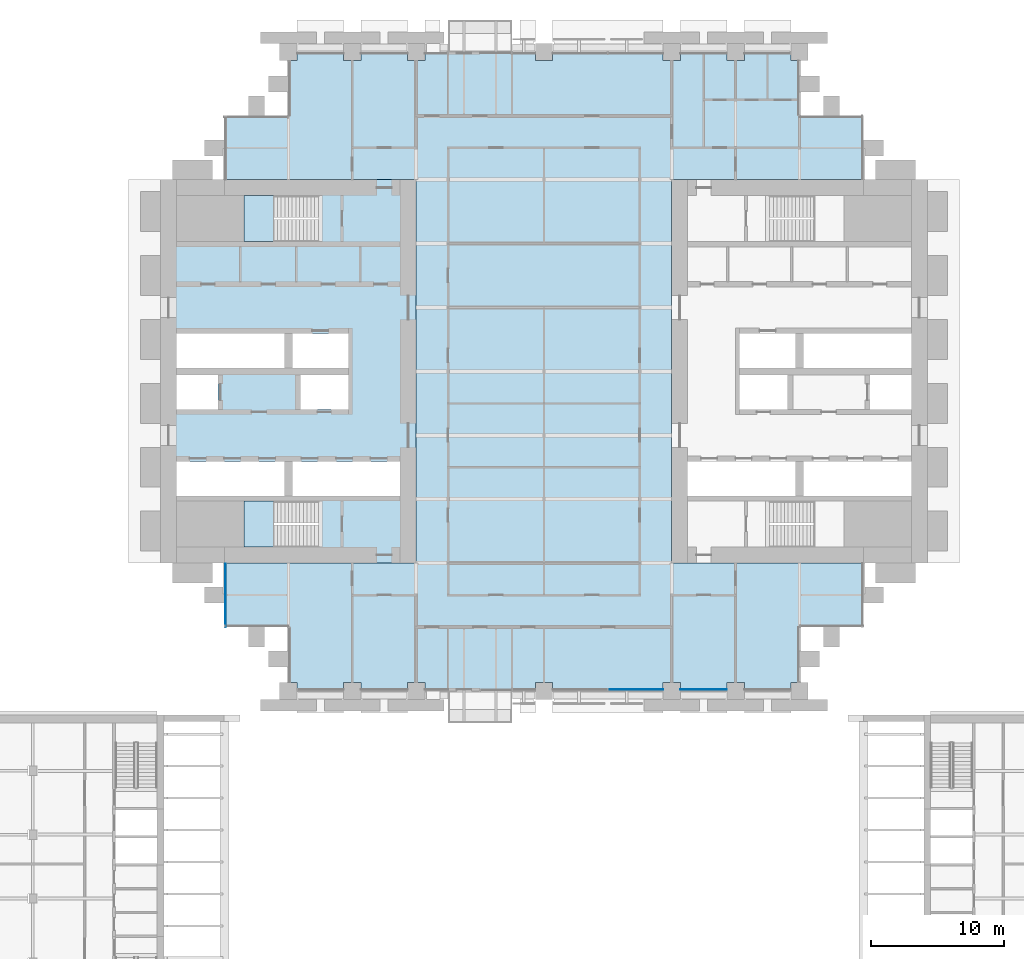
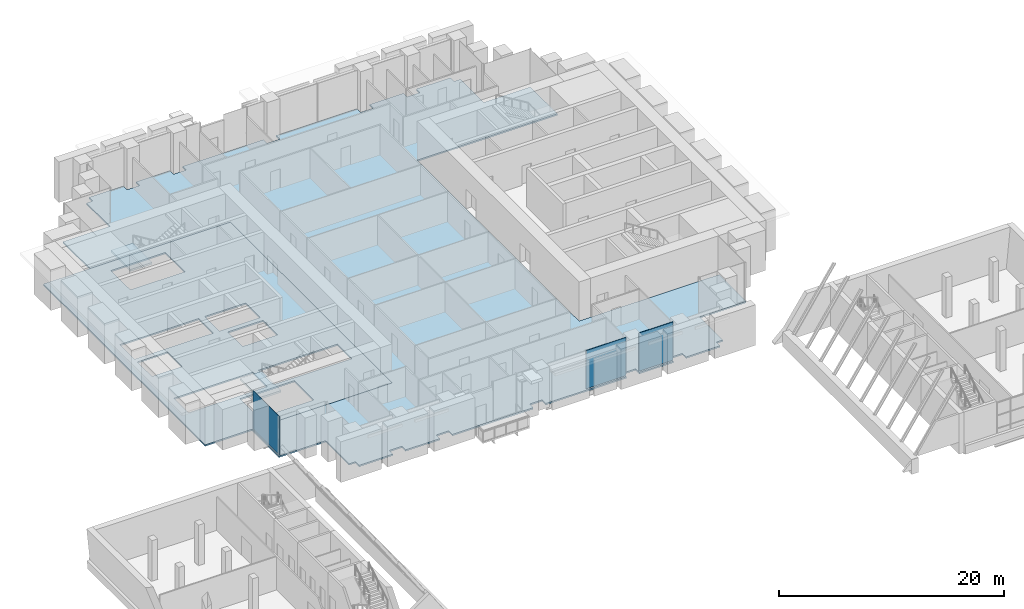
# One storey, part 19 of 32: 4 slabs, 3 plates, 4 elements without a shape of their own.
"""IFC4 building model written with IfcOpenShell, lengths in metres."""

from ifc_helpers import new_model, si_unit, direction, frame, origin, origin_2d, place, context, subcontext, project, spatial, polyline, rectangle, outline, extrude, material, layer, layer_set, type_object, element, aggregate, save


model = new_model("IFC4")

# Units and contexts
model_context = context("Model", 3, precision=1e-05, world=origin(), true_north=direction((0.0, 1.0)))
body_context = subcontext(model_context, "Body", "Model", "MODEL_VIEW")
ifc_project = project(units=[si_unit("LENGTHUNIT", "METRE"), si_unit("AREAUNIT", "SQUARE_METRE"), si_unit("VOLUMEUNIT", "CUBIC_METRE"), si_unit("PLANEANGLEUNIT", "RADIAN"), si_unit("MASSUNIT", "GRAM", prefix="KILO")], contexts=[model_context])

# Site, building, storey
site_placement = place(None, origin())
site = spatial("IfcSite", under=ifc_project, at=site_placement, CompositionType="ELEMENT")
building_placement = place(site_placement, origin())
building = spatial("IfcBuilding", under=site, at=building_placement, Name="Baori Bourse Tower", CompositionType="ELEMENT")
storey_placement = place(building_placement, frame((0.0, 0.0, 21.39990234375)))
storey = spatial("IfcBuildingStorey", under=building, at=storey_placement, Name="L03", CompositionType="ELEMENT", Elevation=21.39990234375)

# Curtain wall, plates
ifc_material_1 = material(Name="Pale anodised aluminium", Category="aluminium")
curtain_wall_type_1 = type_object("IfcCurtainWallType", Name="CW1 Curtain wall", PredefinedType="NOTDEFINED", material=ifc_material_1)
curtain_wall_1_placement = place(storey_placement, origin())
curtain_wall_1 = element("IfcCurtainWall", 1, at=curtain_wall_1_placement, inside=storey, type_object=curtain_wall_type_1, Name="Curtain wall CW1 L03 15", PredefinedType="NOTDEFINED")
ifc_material_2 = material(Name="Clear glass", Category="glass")
ifc_layer_1 = layer(ifc_material_2, 0.033935546875)
ifc_layer_set_1 = layer_set([ifc_layer_1], Name="CW1 Curtain wall panel")
plate_type_1 = type_object("IfcPlateType", Name="CW1 Curtain wall panel", PredefinedType="CURTAIN_PANEL", material=ifc_layer_set_1)
plate_1_placement = place(storey_placement, frame((35.68994140625, 0.10009765625, 0.080078125), z_axis=(0.0, 0.0, 1.0), x_axis=(1.0, 0.0, 0.0)))
plate_1 = element("IfcPlate", 2, at=plate_1_placement, type_object=plate_type_1, Name="Curtain wall CW1 panel", PredefinedType="CURTAIN_PANEL", context=body_context, shape_type="SweptSolid", body=[
    extrude(rectangle(XDim=4.1201171875, YDim=0.033935546875, at=origin_2d()), origin(), (0.0, 0.0, 1.0), 4.159912109375),
])
plate_2_placement = place(storey_placement, frame((40.800048828125, 0.10009765625, 0.080078125), z_axis=(0.0, 0.0, 1.0), x_axis=(1.0, 0.0, 0.0)))
plate_2 = element("IfcPlate", 3, at=plate_2_placement, type_object=plate_type_1, Name="Curtain wall CW1 panel", PredefinedType="CURTAIN_PANEL", context=body_context, shape_type="SweptSolid", body=[
    extrude(rectangle(XDim=3.5, YDim=0.033935546875, at=origin_2d()), origin(), (0.0, 0.0, 1.0), 4.159912109375),
])
aggregate(curtain_wall_1, [plate_1, plate_2])

# Curtain wall, plate
ifc_material_3 = material(Name="Pale anodised aluminium", Category="aluminium")
curtain_wall_type_2 = type_object("IfcCurtainWallType", Name="CW2 Curtain wall", PredefinedType="NOTDEFINED", material=ifc_material_3)
curtain_wall_2_placement = place(storey_placement, origin())
curtain_wall_2 = element("IfcCurtainWall", 4, at=curtain_wall_2_placement, inside=storey, type_object=curtain_wall_type_2, Name="Curtain wall CW2 L03 10", PredefinedType="NOTDEFINED")
ifc_material_4 = material(Name="Clear glass", Category="glass")
ifc_layer_2 = layer(ifc_material_4, 0.030029296875)
ifc_layer_set_2 = layer_set([ifc_layer_2], Name="CW2 Curtain wall panel")
plate_type_2 = type_object("IfcPlateType", Name="CW2 Curtain wall panel", PredefinedType="CURTAIN_PANEL", material=ifc_layer_set_2)
plate_3_placement = place(storey_placement, frame((4.889892578125, 7.172607421875, 0.070068359375), z_axis=(0.0, 0.0, 1.0), x_axis=(0.0, -1.0, 0.0)))
plate_3 = element("IfcPlate", 5, at=plate_3_placement, type_object=plate_type_2, Name="Curtain wall CW2 panel", PredefinedType="CURTAIN_PANEL", context=body_context, shape_type="SweptSolid", body=[
    extrude(rectangle(XDim=4.7451171875, YDim=0.030029296875, at=origin_2d()), origin(), (0.0, 0.0, 1.0), 4.169921875),
])
aggregate(curtain_wall_2, [plate_3])

# Slab
ifc_material_5 = material(Name="Concrete f'c 50 MPa", Category="concrete")
ifc_layer_3 = layer(ifc_material_5, 0.159912109375)
ifc_layer_set_3 = layer_set([ifc_layer_3], Name="Core slab 160")
slab_type_1 = type_object("IfcSlabType", Name="Core slab 160", PredefinedType="FLOOR", material=ifc_layer_set_3)
slab_1_placement = place(storey_placement, frame((0.0, 0.0, -0.159912109375)))
element("IfcSlab", 6, at=slab_1_placement, inside=storey, type_object=slab_type_1, Name="Core floor slab W01", PredefinedType="FLOOR", context=body_context, shape_type="SweptSolid", body=[
    extrude(outline(polyline([(19.199951171875, 9.60009765625), (19.199951171875, 38.39990234375), (0.0, 38.39990234375), (0.0, 9.60009765625), (19.199951171875, 9.60009765625)]), holes=[polyline([(9.89990234375, 14.64990234375), (9.89990234375, 17.25), (18.0, 17.25), (18.0, 14.64990234375), (9.89990234375, 14.64990234375)]), polyline([(10.5, 21.14990234375), (10.5, 23.75), (14.10009765625, 23.75), (14.10009765625, 21.14990234375), (10.5, 21.14990234375)]), polyline([(14.10009765625, 24.25), (9.89990234375, 24.25), (9.89990234375, 26.85009765625), (14.10009765625, 26.85009765625), (14.10009765625, 24.25)]), polyline([(6.25, 14.25), (11.84912109375, 14.25), (11.84912109375, 10.800048828125), (6.25, 10.800048828125), (6.25, 14.25)]), polyline([(11.84912109375, 37.199951171875), (11.84912109375, 33.75), (6.25, 33.75), (6.25, 37.199951171875), (11.84912109375, 37.199951171875)]), polyline([(1.199951171875, 26.85009765625), (9.300048828125, 26.85009765625), (9.300048828125, 24.25), (1.199951171875, 24.25), (1.199951171875, 26.85009765625)]), polyline([(9.300048828125, 14.64990234375), (1.199951171875, 14.64990234375), (1.199951171875, 17.25), (9.300048828125, 17.25), (9.300048828125, 14.64990234375)]), polyline([(4.300048828125, 23.75), (4.300048828125, 21.14990234375), (1.199951171875, 21.14990234375), (1.199951171875, 23.75), (4.300048828125, 23.75)])]), origin(), (0.0, 0.0, 1.0), 0.159912109375),
])

# Stair, slab
ifc_material_6 = material(Name="Concrete f'c 50 MPa", Category="concrete")
stair_type = type_object("IfcStairType", Name="Core stair", PredefinedType="HALF_TURN_STAIR", material=ifc_material_6)
stair_1_placement = place(storey_placement, origin())
stair_1 = element("IfcStair", 7, at=stair_1_placement, inside=storey, type_object=stair_type, Name="L03 Stair WA", PredefinedType="HALF_TURN_STAIR")
ifc_material_7 = material(Name="Concrete f'c 50 MPa", Category="concrete")
slab_type_2 = type_object("IfcSlabType", Name="Core stair landing", PredefinedType="LANDING", material=ifc_material_7)
slab_2_placement = place(storey_placement, frame((0.0, 0.0, 2.0)))
slab_2 = element("IfcSlab", 8, at=slab_2_placement, type_object=slab_type_2, Name="ST1 landing 1", PredefinedType="LANDING", context=body_context, shape_type="SweptSolid", body=[
    extrude(outline(polyline([(8.489990234375, 14.25), (6.25, 14.25), (6.25, 10.800048828125), (8.489990234375, 10.800048828125), (8.489990234375, 14.25)])), origin(), (0.0, 0.0, 1.0), 0.2001953125),
])
aggregate(stair_1, [slab_2])

stair_2_placement = place(storey_placement, origin())
stair_2 = element("IfcStair", 9, at=stair_2_placement, inside=storey, type_object=stair_type, Name="L03 Stair WB", PredefinedType="HALF_TURN_STAIR")
slab_3_placement = place(storey_placement, frame((0.0, 0.0, 2.0)))
slab_3 = element("IfcSlab", 10, at=slab_3_placement, type_object=slab_type_2, Name="ST2 landing 1", PredefinedType="LANDING", context=body_context, shape_type="SweptSolid", body=[
    extrude(outline(polyline([(8.489990234375, 37.199951171875), (6.25, 37.199951171875), (6.25, 33.75), (8.489990234375, 33.75), (8.489990234375, 37.199951171875)])), origin(), (0.0, 0.0, 1.0), 0.2001953125),
])
aggregate(stair_2, [slab_3])

# Slab
ifc_material_8 = material(Name="Concrete f'c 40 MPa", Category="concrete")
ifc_layer_4 = layer(ifc_material_8, 0.159912109375)
ifc_layer_set_4 = layer_set([ifc_layer_4], Name="Floor slab 160")
slab_type_3 = type_object("IfcSlabType", Name="Floor slab 160", PredefinedType="FLOOR", material=ifc_layer_set_4)
slab_4_placement = place(storey_placement, frame((0.0, 0.0, -0.159912109375)))
element("IfcSlab", 11, at=slab_4_placement, inside=storey, type_object=slab_type_3, Name="Floor slab L03", PredefinedType="FLOOR", context=body_context, shape_type="SweptSolid", body=[
    extrude(outline(polyline([(9.60009765625, 4.800048828125), (4.800048828125, 4.800048828125), (4.800048828125, 9.60009765625), (19.199951171875, 9.60009765625), (19.199951171875, 38.39990234375), (4.800048828125, 38.39990234375), (4.800048828125, 43.199951171875), (9.60009765625, 43.199951171875), (9.60009765625, 47.35009765625), (10.25, 47.35009765625), (10.25, 48.0), (13.75, 48.0), (13.75, 47.35009765625), (15.050048828125, 47.35009765625), (15.050048828125, 48.0), (18.550048828125, 48.0), (18.550048828125, 47.35009765625), (19.85009765625, 47.35009765625), (19.85009765625, 48.0), (28.14990234375, 48.0), (28.14990234375, 47.35009765625), (29.449951171875, 47.35009765625), (29.449951171875, 48.0), (37.75, 48.0), (37.75, 47.35009765625), (39.050048828125, 47.35009765625), (39.050048828125, 48.0), (42.550048828125, 48.0), (42.550048828125, 47.35009765625), (43.85009765625, 47.35009765625), (43.85009765625, 48.0), (47.35009765625, 48.0), (47.35009765625, 47.35009765625), (48.0, 47.35009765625), (48.0, 43.199951171875), (52.800048828125, 43.199951171875), (52.800048828125, 38.39990234375), (38.39990234375, 38.39990234375), (38.39990234375, 9.60009765625), (52.800048828125, 9.60009765625), (52.800048828125, 4.800048828125), (48.0, 4.800048828125), (48.0, 0.64990234375), (47.35009765625, 0.64990234375), (47.35009765625, 0.0), (43.85009765625, 0.0), (43.85009765625, 0.64990234375), (42.550048828125, 0.64990234375), (42.550048828125, 0.0), (39.050048828125, 0.0), (39.050048828125, 0.64990234375), (37.75, 0.64990234375), (37.75, 0.0), (29.449951171875, 0.0), (29.449951171875, 0.64990234375), (28.14990234375, 0.64990234375), (28.14990234375, 0.0), (19.85009765625, 0.0), (19.85009765625, 0.64990234375), (18.550048828125, 0.64990234375), (18.550048828125, 0.0), (15.050048828125, 0.0), (15.050048828125, 0.64990234375), (13.75, 0.64990234375), (13.75, 0.0), (10.25, 0.0), (10.25, 0.64990234375), (9.60009765625, 0.64990234375), (9.60009765625, 4.800048828125)])), origin(), (0.0, 0.0, 1.0), 0.159912109375),
])

save(model, "model.ifc")
